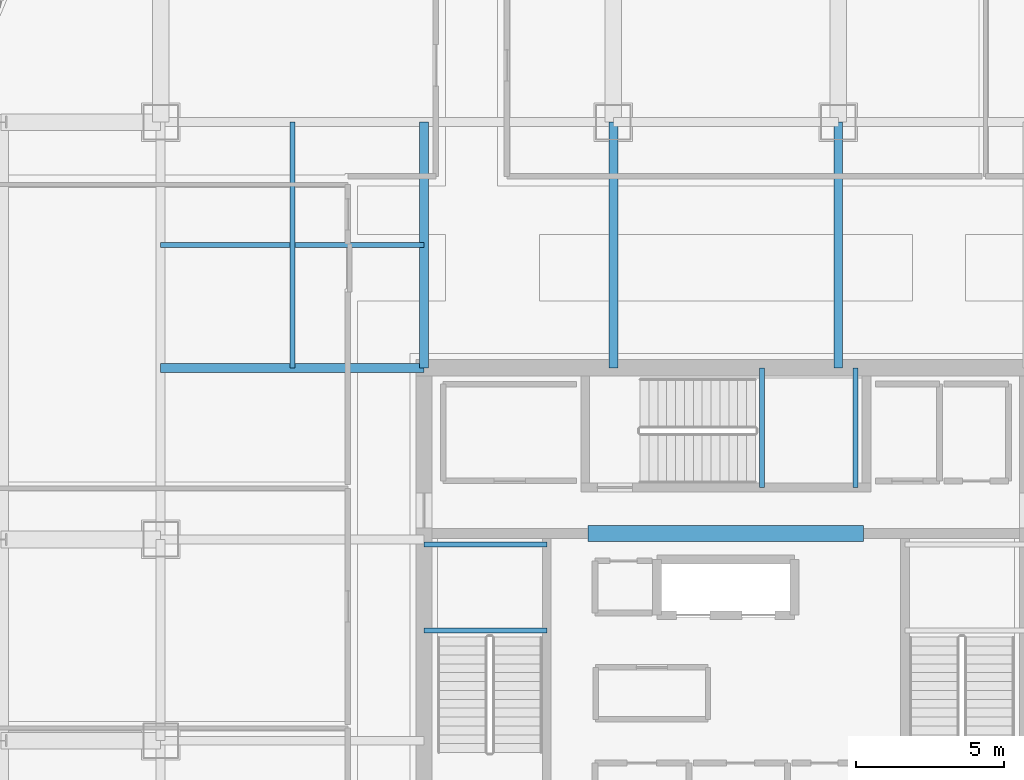
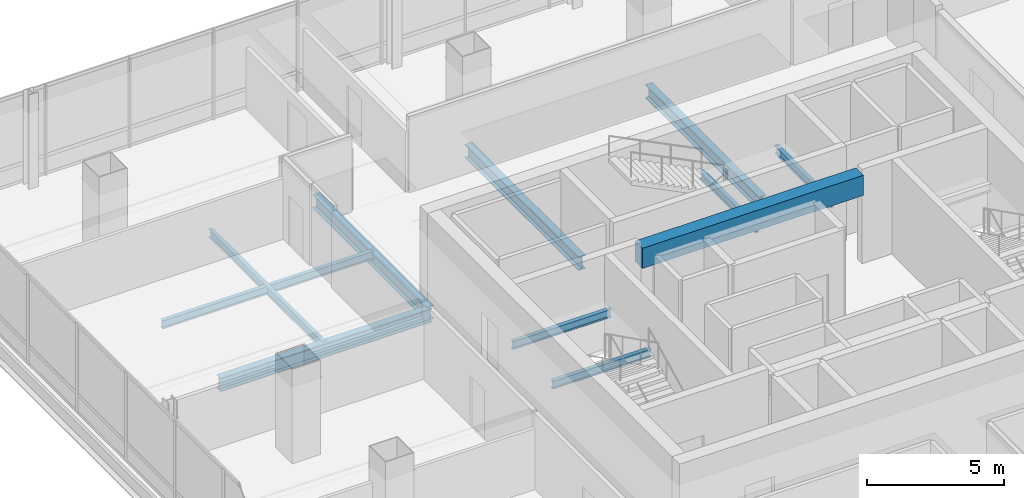
# One storey, part 14 of 41: 11 beams.
"""IFC4 building model written with IfcOpenShell, lengths in metres."""

from ifc_helpers import new_model, si_unit, direction, frame, origin, origin_2d, place, context, subcontext, project, spatial, rectangle, i_section, extrude, material, material_profile, profile_set, type_object, element, save


model = new_model("IFC4")

# Units and contexts
model_context = context("Model", 3, precision=1e-05, world=origin(), true_north=direction((0.0, 1.0)))
body_context = subcontext(model_context, "Body", "Model", "MODEL_VIEW")
ifc_project = project(units=[si_unit("LENGTHUNIT", "METRE"), si_unit("AREAUNIT", "SQUARE_METRE"), si_unit("VOLUMEUNIT", "CUBIC_METRE"), si_unit("PLANEANGLEUNIT", "RADIAN"), si_unit("MASSUNIT", "GRAM", prefix="KILO")], contexts=[model_context])

# Site, building, storey
site_placement = place(None, origin())
site = spatial("IfcSite", under=ifc_project, at=site_placement, CompositionType="ELEMENT")
building_placement = place(site_placement, origin())
building = spatial("IfcBuilding", under=site, at=building_placement, Name="Punatoya Terracotta Tower", CompositionType="ELEMENT")
storey_placement = place(building_placement, frame((0.0, 0.0, 292.199951171875)))
storey = spatial("IfcBuildingStorey", under=building, at=storey_placement, Name="L69", CompositionType="ELEMENT", Elevation=292.199951171875)

# Beams
ifc_material_1 = material(Name="Steel S355", Category="steel")
ifc_material_profile_1 = material_profile(ifc_material_1, i_section(OverallWidth=0.300048828125, OverallDepth=0.60009765625, WebThickness=0.015380859375, FlangeThickness=0.030029296875, FilletRadius=0.01806640625, at=origin_2d()))
ifc_profile_set_1 = profile_set([ifc_material_profile_1], Name="Steel S355")
beam_type_1 = type_object("IfcBeamType", Name="BM-PRI-600", PredefinedType="BEAM", material=ifc_profile_set_1)
beam_1_placement = place(storey_placement, frame((-19.10009765625, 9.199951171875, -0.5), z_axis=(1.0, 0.0, 0.0), x_axis=(0.0, 1.0, 0.0)))
element("IfcBeam", 1, at=beam_1_placement, inside=storey, type_object=beam_type_1, Name="BM-L69-PR-WN", PredefinedType="BEAM", context=body_context, shape_type="SweptSolid", body=[
    extrude(i_section(OverallWidth=0.300048828125, OverallDepth=0.60009765625, WebThickness=0.015380859375, FlangeThickness=0.030029296875, FilletRadius=0.01806640625, at=origin_2d()), origin(), (0.0, 0.0, 1.0), 8.900146484375),
])
for number, where, z_axis, x_axis, name in (
    (2, (-10.199951171875, 9.199951171875, -0.5), (0.0, 1.0, 0.0), (-1.0, 0.0, 0.0), "BM-L69-PR-N1"),
    (3, (-3.800048828125, 9.199951171875, -0.5), (0.0, 1.0, 0.0), (-1.0, 0.0, 0.0), "BM-L69-PR-N2"),
    (4, (3.800048828125, 9.199951171875, -0.5), (0.0, 1.0, 0.0), (-1.0, 0.0, 0.0), "BM-L69-PR-N3"),
):
    element("IfcBeam", number, at=place(storey_placement, frame(where, z_axis=z_axis, x_axis=x_axis)), inside=storey, type_object=beam_type_1, Name=name, PredefinedType="BEAM", context=body_context, shape_type="SweptSolid", body=[
        extrude(i_section(OverallWidth=0.300048828125, OverallDepth=0.60009765625, WebThickness=0.015380859375, FlangeThickness=0.030029296875, FilletRadius=0.01806640625, at=origin_2d()), origin(), (0.0, 0.0, 1.0), 8.300048828125),
    ])
ifc_material_2 = material(Name="Concrete C50/60", Category="concrete")
ifc_material_profile_2 = material_profile(ifc_material_2, rectangle(XDim=0.550048828125, YDim=0.89990234375, at=origin_2d()))
ifc_profile_set_2 = profile_set([ifc_material_profile_2], Name="Concrete C50/60")
beam_type_2 = type_object("IfcBeamType", Name="BM-RC-900", PredefinedType="LINTEL", material=ifc_profile_set_2)
beam_2_placement = place(storey_placement, frame((-4.64990234375, 3.60009765625, 3.550048828125), z_axis=(1.0, 0.0, 0.0), x_axis=(0.0, 1.0, 0.0)))
element("IfcBeam", 5, at=beam_2_placement, inside=storey, type_object=beam_type_2, Name="L69 Core Coupling Lintel CNW", PredefinedType="LINTEL", context=body_context, shape_type="SweptSolid", body=[
    extrude(rectangle(XDim=0.550048828125, YDim=0.89990234375, at=origin_2d()), origin(), (0.0, 0.0, 1.0), 9.2998046875),
])
ifc_material_profile_3 = material_profile(ifc_material_1, i_section(OverallWidth=0.169921875, OverallDepth=0.360107421875, WebThickness=0.008056640625, FlangeThickness=0.0126953125, FilletRadius=0.01806640625, at=origin_2d()))
ifc_profile_set_3 = profile_set([ifc_material_profile_3], Name="Steel S355")
beam_type_3 = type_object("IfcBeamType", Name="BM-SEC-360", PredefinedType="JOIST", material=ifc_profile_set_3)
beam_3_placement = place(storey_placement, frame((-19.10009765625, 13.35009765625, -0.3798828125), z_axis=(1.0, 0.0, 0.0), x_axis=(0.0, 1.0, 0.0)))
element("IfcBeam", 6, at=beam_3_placement, inside=storey, type_object=beam_type_3, Name="BM-L69-SJN-1", PredefinedType="JOIST", context=body_context, shape_type="SweptSolid", body=[
    extrude(i_section(OverallWidth=0.169921875, OverallDepth=0.360107421875, WebThickness=0.008056640625, FlangeThickness=0.0126953125, FilletRadius=0.01806640625, at=origin_2d()), origin(), (0.0, 0.0, 1.0), 8.900146484375),
])
beam_4_placement = place(storey_placement, frame((-14.64990234375, 9.199951171875, -0.3798828125), z_axis=(0.0, 1.0, 0.0), x_axis=(-1.0, 0.0, 0.0)))
element("IfcBeam", 7, at=beam_4_placement, inside=storey, type_object=beam_type_3, Name="BM-L69-SJW-2", PredefinedType="JOIST", context=body_context, shape_type="SweptSolid", body=[
    extrude(i_section(OverallWidth=0.169921875, OverallDepth=0.360107421875, WebThickness=0.008056640625, FlangeThickness=0.0126953125, FilletRadius=0.01806640625, at=origin_2d()), origin(), (0.0, 0.0, 1.0), 8.300048828125),
])
for number, where, z_axis, x_axis, name in (
    (8, (-10.199951171875, 0.320068359375, 1.719970703125), (1.0, 0.0, 0.0), (0.0, 1.0, 0.0), "BM-L69-ST-1-LD1A"),
    (9, (-10.199951171875, 3.22998046875, 1.719970703125), (1.0, 0.0, 0.0), (0.0, 1.0, 0.0), "BM-L69-ST-1-LD1B"),
):
    element("IfcBeam", number, at=place(storey_placement, frame(where, z_axis=z_axis, x_axis=x_axis)), inside=storey, type_object=beam_type_3, Name=name, PredefinedType="JOIST", context=body_context, shape_type="SweptSolid", body=[
        extrude(i_section(OverallWidth=0.169921875, OverallDepth=0.360107421875, WebThickness=0.008056640625, FlangeThickness=0.0126953125, FilletRadius=0.01806640625, at=origin_2d()), origin(), (0.0, 0.0, 1.0), 4.14990234375),
    ])
for number, where, z_axis, x_axis, name in (
    (10, (1.219970703125, 5.14990234375, 1.719970703125), (0.0, 1.0, 0.0), (-1.0, 0.0, 0.0), "BM-L69-ST-3-LD1A"),
    (11, (4.3798828125, 5.14990234375, 1.719970703125), (0.0, 1.0, 0.0), (-1.0, 0.0, 0.0), "BM-L69-ST-3-LD1B"),
):
    element("IfcBeam", number, at=place(storey_placement, frame(where, z_axis=z_axis, x_axis=x_axis)), inside=storey, type_object=beam_type_3, Name=name, PredefinedType="JOIST", context=body_context, shape_type="SweptSolid", body=[
        extrude(i_section(OverallWidth=0.169921875, OverallDepth=0.360107421875, WebThickness=0.008056640625, FlangeThickness=0.0126953125, FilletRadius=0.01806640625, at=origin_2d()), origin(), (0.0, 0.0, 1.0), 4.050048828125),
    ])

save(model, "model.ifc")
